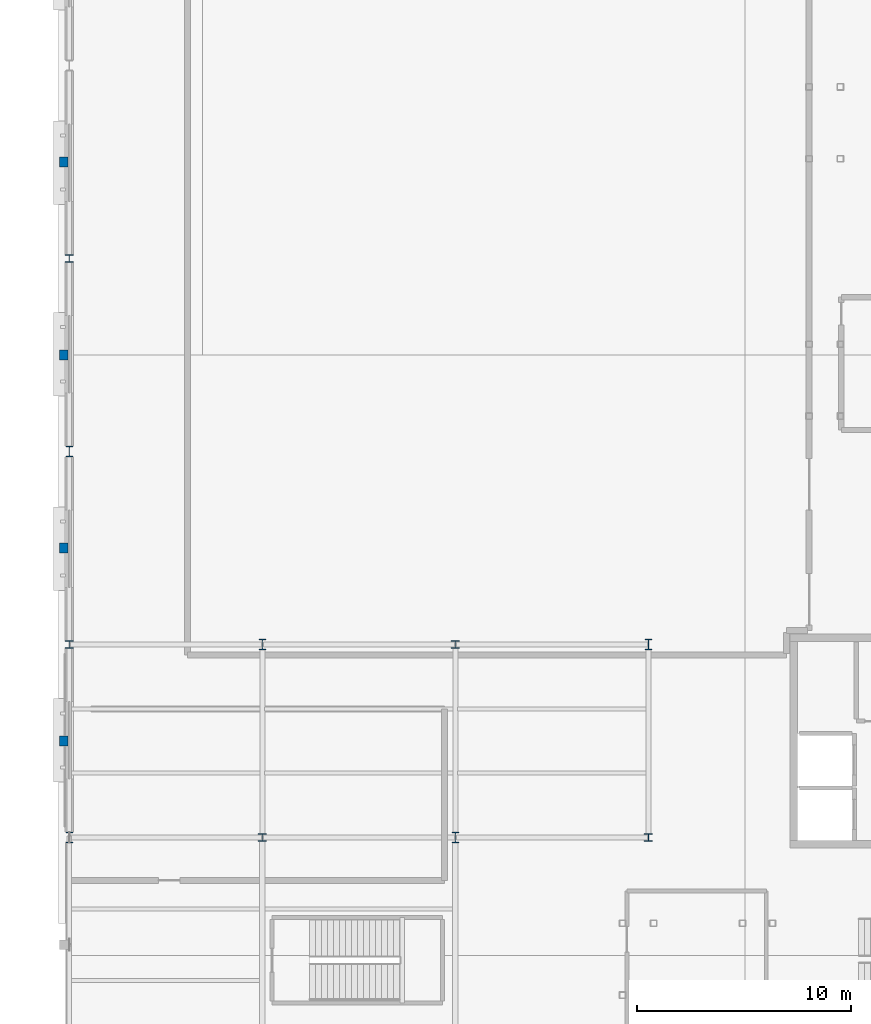
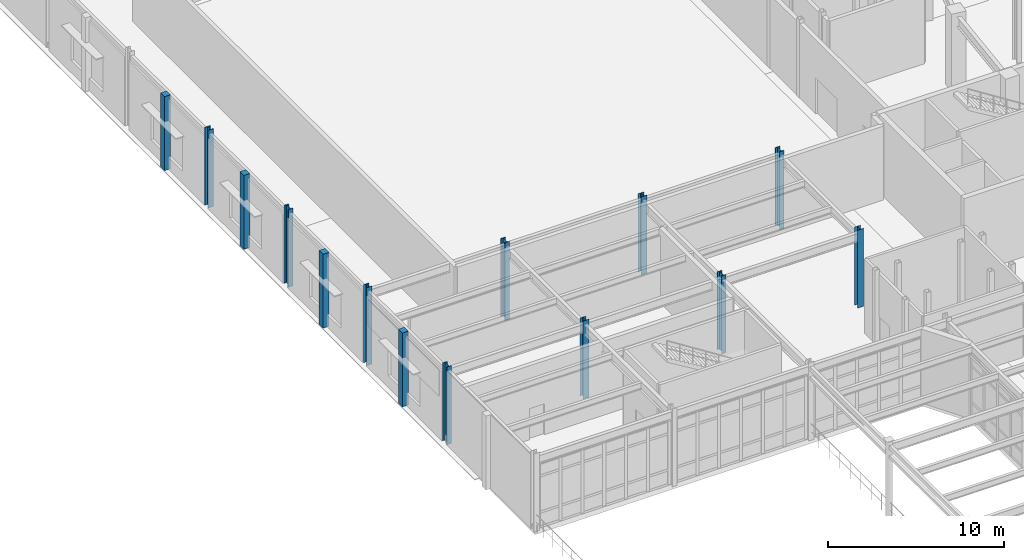
# One storey, part 9 of 79: 14 columns.
"""IFC4 building model written with IfcOpenShell, lengths in metres."""

from ifc_helpers import new_model, si_unit, direction, frame, origin, origin_2d, place, context, subcontext, project, spatial, rectangle, i_section, extrude, material, material_profile, profile_set, type_object, element, save


model = new_model("IFC4")

# Units and contexts
model_context = context("Model", 3, precision=1e-05, world=origin(), true_north=direction((0.0, 1.0)))
body_context = subcontext(model_context, "Body", "Model", "MODEL_VIEW")
ifc_project = project(units=[si_unit("LENGTHUNIT", "METRE"), si_unit("AREAUNIT", "SQUARE_METRE"), si_unit("VOLUMEUNIT", "CUBIC_METRE"), si_unit("PLANEANGLEUNIT", "RADIAN"), si_unit("MASSUNIT", "GRAM", prefix="KILO")], contexts=[model_context])

# Site, building, storey
site_placement = place(None, origin())
site = spatial("IfcSite", under=ifc_project, at=site_placement, CompositionType="ELEMENT")
building_placement = place(site_placement, origin())
building = spatial("IfcBuilding", under=site, at=building_placement, Name="Glasvene Arena", CompositionType="ELEMENT")
storey_placement = place(building_placement, origin())
storey = spatial("IfcBuildingStorey", under=building, at=storey_placement, Name="L00", CompositionType="ELEMENT", Elevation=0.0)

# Columns
ifc_material_1 = material(Name="Steel S355J2", Category="steel")
ifc_material_profile_1 = material_profile(ifc_material_1, i_section(OverallWidth=0.300048828125, OverallDepth=0.5, WebThickness=0.014404296875, FlangeThickness=0.028076171875, FilletRadius=0.027099609375, at=origin_2d()), Name="HEB 500")
ifc_profile_set_1 = profile_set([ifc_material_profile_1], Name="Steel S355J2")
column_type_1 = type_object("IfcColumnType", Name="COL-W-HEB500", PredefinedType="COLUMN", material=ifc_profile_set_1)
for number, where, z_axis, x_axis, name in (
    (1, (0.0, 64.0, 0.0), (0.0, 0.0, 1.0), (1.0, 0.0, 0.0), "Grid column 1-8 L00"),
    (2, (0.0, 82.0, 0.0), (0.0, 0.0, 1.0), (1.0, 0.0, 0.0), "Grid column 1-10 L00"),
    (3, (9.0, 73.0, 0.0), (0.0, 0.0, 1.0), (1.0, 0.0, 0.0), "Grid column 2-9 L00"),
    (4, (18.0, 64.0, 0.0), (0.0, 0.0, 1.0), (1.0, 0.0, 0.0), "Grid column 3-8 L00"),
    (5, (27.0, 73.0, 0.0), (0.0, 0.0, 1.0), (1.0, 0.0, 0.0), "Grid column 4-9 L00"),
):
    element("IfcColumn", number, at=place(storey_placement, frame(where, z_axis=z_axis, x_axis=x_axis)), inside=storey, type_object=column_type_1, Name=name, PredefinedType="COLUMN", context=body_context, shape_type="SweptSolid", body=[
        extrude(i_section(OverallWidth=0.300048828125, OverallDepth=0.5, WebThickness=0.014404296875, FlangeThickness=0.028076171875, FilletRadius=0.027099609375, at=origin_2d()), origin(), (0.0, 0.0, 1.0), 5.39990234375),
    ])
ifc_material_profile_2 = material_profile(ifc_material_1, i_section(OverallWidth=0.37255859375, OverallDepth=0.3681640625, WebThickness=0.014404296875, FlangeThickness=0.023681640625, FilletRadius=0.01513671875, at=origin_2d()), Name="UKC 356x368x177")
ifc_profile_set_2 = profile_set([ifc_material_profile_2], Name="Steel S355J2")
column_type_2 = type_object("IfcColumnType", Name="COL-W-UKC177", PredefinedType="COLUMN", material=ifc_profile_set_2)
for number, where, z_axis, x_axis, name in (
    (6, (0.0, 73.0, 0.0), (0.0, 0.0, 1.0), (1.0, 0.0, 0.0), "Grid column 1-9 L00"),
    (7, (0.0, 91.0, 0.0), (0.0, 0.0, 1.0), (1.0, 0.0, 0.0), "Grid column 1-11 L00"),
    (8, (9.0, 64.0, 0.0), (0.0, 0.0, 1.0), (1.0, 0.0, 0.0), "Grid column 2-8 L00"),
    (9, (18.0, 73.0, 0.0), (0.0, 0.0, 1.0), (1.0, 0.0, 0.0), "Grid column 3-9 L00"),
    (10, (27.0, 64.0, 0.0), (0.0, 0.0, 1.0), (1.0, 0.0, 0.0), "Grid column 4-8 L00"),
):
    element("IfcColumn", number, at=place(storey_placement, frame(where, z_axis=z_axis, x_axis=x_axis)), inside=storey, type_object=column_type_2, Name=name, PredefinedType="COLUMN", context=body_context, shape_type="SweptSolid", body=[
        extrude(i_section(OverallWidth=0.37255859375, OverallDepth=0.3681640625, WebThickness=0.014404296875, FlangeThickness=0.023681640625, FilletRadius=0.01513671875, at=origin_2d()), origin(), (0.0, 0.0, 1.0), 5.39990234375),
    ])
ifc_material_2 = material(Name="Precast concrete C50/60", Category="concrete")
ifc_material_profile_3 = material_profile(ifc_material_2, rectangle(XDim=0.39990234375, YDim=0.449951171875, at=origin_2d()), Name="RC 400x450")
ifc_profile_set_3 = profile_set([ifc_material_profile_3], Name="Precast concrete C50/60")
column_type_3 = type_object("IfcColumnType", Name="PIL-LIM-400", PredefinedType="PILASTER", material=ifc_profile_set_3)
for number, where, z_axis, x_axis, name in (
    (11, (-0.260009765625, 68.5, 0.0), (0.0, 0.0, 1.0), (1.0, 0.0, 0.0), "Limestone pilaster PL-08 L00"),
    (12, (-0.260009765625, 77.5, 0.0), (0.0, 0.0, 1.0), (1.0, 0.0, 0.0), "Limestone pilaster PL-09 L00"),
    (13, (-0.260009765625, 86.5, 0.0), (0.0, 0.0, 1.0), (1.0, 0.0, 0.0), "Limestone pilaster PL-10 L00"),
    (14, (-0.260009765625, 95.5, 0.0), (0.0, 0.0, 1.0), (1.0, 0.0, 0.0), "Limestone pilaster PL-11 L00"),
):
    element("IfcColumn", number, at=place(storey_placement, frame(where, z_axis=z_axis, x_axis=x_axis)), inside=storey, type_object=column_type_3, Name=name, PredefinedType="PILASTER", context=body_context, shape_type="SweptSolid", body=[
        extrude(rectangle(XDim=0.39990234375, YDim=0.449951171875, at=origin_2d()), origin(), (0.0, 0.0, 1.0), 5.1201171875),
    ])

save(model, "model.ifc")
